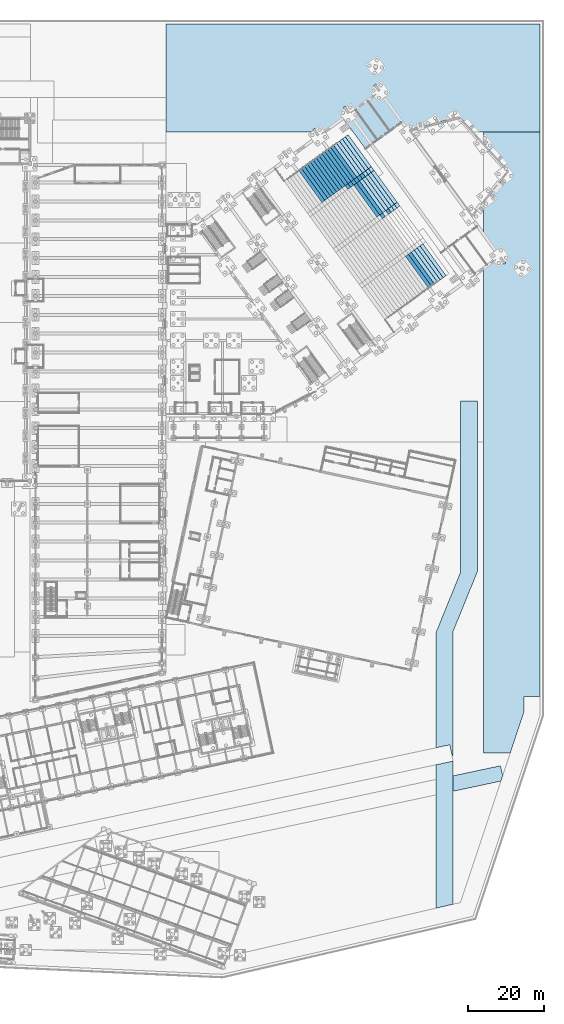
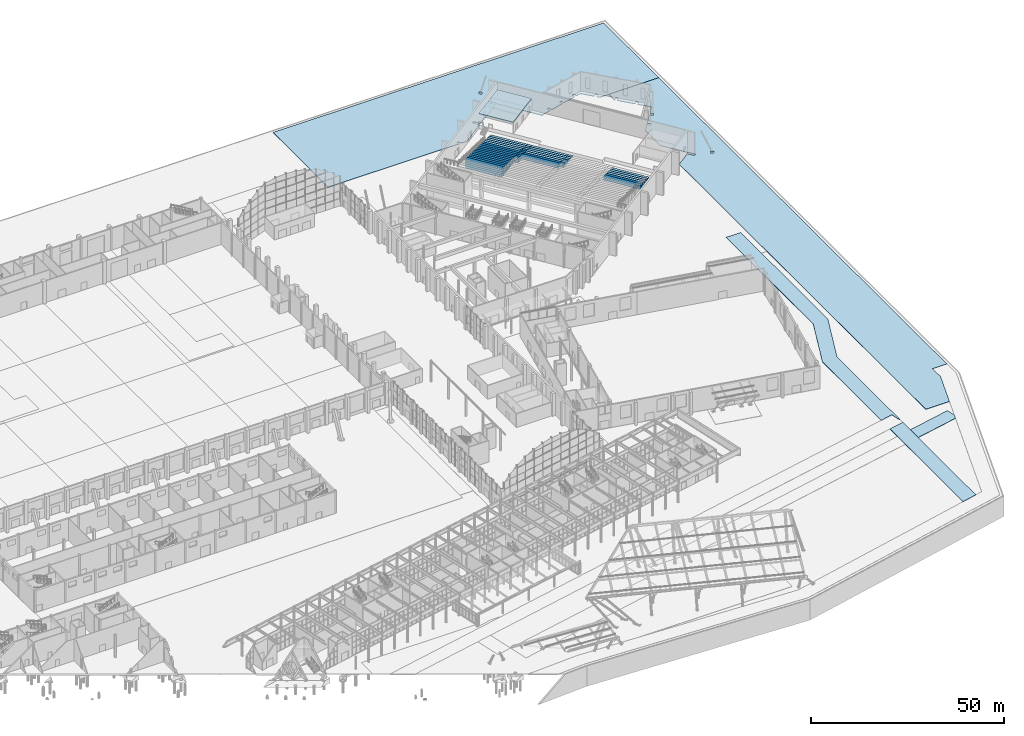
# One storey, part 162 of 239: 50 slabs.
"""IFC4 building model written with IfcOpenShell, lengths in metres."""

from ifc_helpers import new_model, si_unit, direction, frame, origin, place, context, subcontext, project, spatial, polyline, outline, extrude, material, layer, layer_set, type_object, element, save


model = new_model("IFC4")

# Units and contexts
model_context = context("Model", 3, precision=1e-05, world=origin(), true_north=direction((0.0, 1.0)))
body_context = subcontext(model_context, "Body", "Model", "MODEL_VIEW")
ifc_project = project(units=[si_unit("LENGTHUNIT", "METRE"), si_unit("AREAUNIT", "SQUARE_METRE"), si_unit("VOLUMEUNIT", "CUBIC_METRE"), si_unit("PLANEANGLEUNIT", "RADIAN"), si_unit("MASSUNIT", "GRAM", prefix="KILO")], contexts=[model_context])

# Site, building, storey
site_placement = place(None, origin())
site = spatial("IfcSite", under=ifc_project, at=site_placement, CompositionType="ELEMENT")
building_placement = place(site_placement, origin())
building = spatial("IfcBuilding", under=site, at=building_placement, Name="Okhra Congress Centre", CompositionType="ELEMENT")
storey_placement = place(building_placement, origin())
storey = spatial("IfcBuildingStorey", under=building, at=storey_placement, Name="L00", CompositionType="ELEMENT", Elevation=0.0)

# Slabs
ifc_material_1 = material(Name="Concrete C30/37", Category="concrete")
ifc_layer_1 = layer(ifc_material_1, 0.14990234375)
ifc_layer_set_1 = layer_set([ifc_layer_1], Name="Paving slab 150 C30/37")
slab_type_1 = type_object("IfcSlabType", Name="Paving slab 150 C30/37", PredefinedType="BASESLAB", material=ifc_layer_set_1)
slab_1_placement = place(storey_placement, frame((0.0, 0.0, -0.14990234375)))
element("IfcSlab", 1, at=slab_1_placement, inside=storey, type_object=slab_type_1, Name="Court Path East 1 paving", PredefinedType="BASESLAB", context=body_context, shape_type="SweptSolid", body=[
    extrude(outline(polyline([(265.89990234375, 54.002197265625), (265.89990234375, 49.912841796875), (278.618896484375, 52.616455078125), (279.10693359375, 54.080810546875), (278.552001953125, 56.69140625), (265.89990234375, 54.002197265625)])), origin(), (0.0, 0.0, 1.0), 0.14990234375),
])
ifc_material_2 = material(Name="Precast concrete C40/50", Category="concrete")
slab_type_2 = type_object("IfcSlabType", Name="Precast RC stalls aisle step unit C40/50", PredefinedType="FLOOR", material=ifc_material_2)
slab_2_placement = place(storey_placement, origin())
element("IfcSlab", 2, at=slab_2_placement, inside=storey, type_object=slab_type_2, Name="Stalls aisle step unit 1.4", PredefinedType="FLOOR", context=body_context, shape_type="SweptSolid", body=[
    extrude(outline(polyline([(251.143798828125, 204.240478515625), (251.912353515625, 204.798828125), (251.20703125, 205.769775390625), (250.438232421875, 205.21142578125), (251.143798828125, 204.240478515625)])), origin(), (0.0, 0.0, 1.0), 0.16357421875),
])
slab_3_placement = place(storey_placement, origin())
element("IfcSlab", 3, at=slab_3_placement, inside=storey, type_object=slab_type_2, Name="Stalls aisle step unit 1.6", PredefinedType="FLOOR", context=body_context, shape_type="SweptSolid", body=[
    extrude(outline(polyline([(244.2958984375, 213.66552734375), (245.064453125, 214.223876953125), (244.359130859375, 215.19482421875), (243.590576171875, 214.636474609375), (244.2958984375, 213.66552734375)])), origin(), (0.0, 0.0, 1.0), 0.16357421875),
])
slab_4_placement = place(storey_placement, origin())
element("IfcSlab", 4, at=slab_4_placement, inside=storey, type_object=slab_type_2, Name="Stalls aisle step unit 2.4", PredefinedType="FLOOR", context=body_context, shape_type="SweptSolid", body=[
    extrude(outline(polyline([(250.375, 203.68212890625), (251.143798828125, 204.240478515625), (250.438232421875, 205.21142578125), (249.669677734375, 204.653076171875), (250.375, 203.68212890625)])), origin(), (0.0, 0.0, 1.0), 0.327392578125),
])
slab_5_placement = place(storey_placement, origin())
element("IfcSlab", 5, at=slab_5_placement, inside=storey, type_object=slab_type_2, Name="Stalls aisle step unit 2.6", PredefinedType="FLOOR", context=body_context, shape_type="SweptSolid", body=[
    extrude(outline(polyline([(243.52734375, 213.107177734375), (244.2958984375, 213.66552734375), (243.590576171875, 214.636474609375), (242.822021484375, 214.078125), (243.52734375, 213.107177734375)])), origin(), (0.0, 0.0, 1.0), 0.327392578125),
])
slab_6_placement = place(storey_placement, origin())
element("IfcSlab", 6, at=slab_6_placement, inside=storey, type_object=slab_type_2, Name="Stalls aisle step unit 3.4", PredefinedType="FLOOR", context=body_context, shape_type="SweptSolid", body=[
    extrude(outline(polyline([(249.6064453125, 203.123779296875), (250.375, 203.68212890625), (249.669677734375, 204.653076171875), (248.901123046875, 204.094482421875), (249.6064453125, 203.123779296875)])), origin(), (0.0, 0.0, 1.0), 0.490966796875),
])
slab_7_placement = place(storey_placement, origin())
element("IfcSlab", 7, at=slab_7_placement, inside=storey, type_object=slab_type_2, Name="Stalls aisle step unit 3.6", PredefinedType="FLOOR", context=body_context, shape_type="SweptSolid", body=[
    extrude(outline(polyline([(242.7587890625, 212.548828125), (243.52734375, 213.107177734375), (242.822021484375, 214.078125), (242.053466796875, 213.51953125), (242.7587890625, 212.548828125)])), origin(), (0.0, 0.0, 1.0), 0.490966796875),
])
slab_8_placement = place(storey_placement, origin())
element("IfcSlab", 8, at=slab_8_placement, inside=storey, type_object=slab_type_2, Name="Stalls aisle step unit 4.4", PredefinedType="FLOOR", context=body_context, shape_type="SweptSolid", body=[
    extrude(outline(polyline([(248.837890625, 202.5654296875), (249.6064453125, 203.123779296875), (248.901123046875, 204.094482421875), (248.132568359375, 203.5361328125), (248.837890625, 202.5654296875)])), origin(), (0.0, 0.0, 1.0), 0.654541015625),
])
slab_9_placement = place(storey_placement, origin())
element("IfcSlab", 9, at=slab_9_placement, inside=storey, type_object=slab_type_2, Name="Stalls aisle step unit 4.6", PredefinedType="FLOOR", context=body_context, shape_type="SweptSolid", body=[
    extrude(outline(polyline([(241.990234375, 211.990478515625), (242.7587890625, 212.548828125), (242.053466796875, 213.51953125), (241.284912109375, 212.961181640625), (241.990234375, 211.990478515625)])), origin(), (0.0, 0.0, 1.0), 0.654541015625),
])
slab_10_placement = place(storey_placement, origin())
element("IfcSlab", 10, at=slab_10_placement, inside=storey, type_object=slab_type_2, Name="Stalls aisle step unit 5.6", PredefinedType="FLOOR", context=body_context, shape_type="SweptSolid", body=[
    extrude(outline(polyline([(241.2216796875, 211.43212890625), (241.990234375, 211.990478515625), (241.284912109375, 212.961181640625), (240.516357421875, 212.40283203125), (241.2216796875, 211.43212890625)])), origin(), (0.0, 0.0, 1.0), 0.818115234375),
])
slab_11_placement = place(storey_placement, origin())
element("IfcSlab", 11, at=slab_11_placement, inside=storey, type_object=slab_type_2, Name="Stalls aisle step unit 6.4", PredefinedType="FLOOR", context=body_context, shape_type="SweptSolid", body=[
    extrude(outline(polyline([(247.30078125, 201.448486328125), (248.0693359375, 202.007080078125), (247.364013671875, 202.977783203125), (246.595458984375, 202.41943359375), (247.30078125, 201.448486328125)])), origin(), (0.0, 0.0, 1.0), 0.98193359375),
])
slab_12_placement = place(storey_placement, origin())
element("IfcSlab", 12, at=slab_12_placement, inside=storey, type_object=slab_type_2, Name="Stalls aisle step unit 6.6", PredefinedType="FLOOR", context=body_context, shape_type="SweptSolid", body=[
    extrude(outline(polyline([(240.453125, 210.87353515625), (241.2216796875, 211.43212890625), (240.516357421875, 212.40283203125), (239.747802734375, 211.844482421875), (240.453125, 210.87353515625)])), origin(), (0.0, 0.0, 1.0), 0.98193359375),
])
slab_13_placement = place(storey_placement, origin())
element("IfcSlab", 13, at=slab_13_placement, inside=storey, type_object=slab_type_2, Name="Stalls aisle step unit 7.6", PredefinedType="FLOOR", context=body_context, shape_type="SweptSolid", body=[
    extrude(outline(polyline([(239.6845703125, 210.315185546875), (240.453125, 210.87353515625), (239.747802734375, 211.844482421875), (238.979248046875, 211.2861328125), (239.6845703125, 210.315185546875)])), origin(), (0.0, 0.0, 1.0), 1.1455078125),
])
slab_14_placement = place(storey_placement, origin())
element("IfcSlab", 14, at=slab_14_placement, inside=storey, type_object=slab_type_2, Name="Stalls aisle step unit 8.6", PredefinedType="FLOOR", context=body_context, shape_type="SweptSolid", body=[
    extrude(outline(polyline([(238.916015625, 209.7568359375), (239.6845703125, 210.315185546875), (238.979248046875, 211.2861328125), (238.210693359375, 210.7275390625), (238.916015625, 209.7568359375)])), origin(), (0.0, 0.0, 1.0), 1.30908203125),
])
slab_15_placement = place(storey_placement, origin())
element("IfcSlab", 15, at=slab_15_placement, inside=storey, type_object=slab_type_2, Name="Stalls aisle step unit 9.6", PredefinedType="FLOOR", context=body_context, shape_type="SweptSolid", body=[
    extrude(outline(polyline([(238.1474609375, 209.198486328125), (238.916015625, 209.7568359375), (238.210693359375, 210.7275390625), (237.442138671875, 210.169189453125), (238.1474609375, 209.198486328125)])), origin(), (0.0, 0.0, 1.0), 1.47265625),
])
ifc_material_3 = material(Name="Precast concrete C35/45", Category="concrete")
slab_type_3 = type_object("IfcSlabType", Name="Precast RC stalls seat-row step unit C35/45", PredefinedType="FLOOR", material=ifc_material_3)
slab_16_placement = place(storey_placement, origin())
element("IfcSlab", 16, at=slab_16_placement, inside=storey, type_object=slab_type_3, Name="Stalls seat-row step unit 1.5", PredefinedType="FLOOR", context=body_context, shape_type="SweptSolid", body=[
    extrude(outline(polyline([(250.438232421875, 205.21142578125), (251.20703125, 205.769775390625), (245.064453125, 214.223876953125), (244.2958984375, 213.66552734375), (250.438232421875, 205.21142578125)])), origin(), (0.0, 0.0, 1.0), 0.16357421875),
])
slab_17_placement = place(storey_placement, origin())
element("IfcSlab", 17, at=slab_17_placement, inside=storey, type_object=slab_type_3, Name="Stalls seat-row step unit 1.7", PredefinedType="FLOOR", context=body_context, shape_type="SweptSolid", body=[
    extrude(outline(polyline([(243.590576171875, 214.636474609375), (244.359130859375, 215.19482421875), (238.216796875, 223.64892578125), (237.4482421875, 223.090576171875), (243.590576171875, 214.636474609375)])), origin(), (0.0, 0.0, 1.0), 0.16357421875),
])
slab_18_placement = place(storey_placement, origin())
element("IfcSlab", 18, at=slab_18_placement, inside=storey, type_object=slab_type_3, Name="Stalls seat-row step unit 2.1", PredefinedType="FLOOR", context=body_context, shape_type="SweptSolid", body=[
    extrude(outline(polyline([(263.365234375, 185.802978515625), (264.1337890625, 186.361328125), (257.991455078125, 194.8154296875), (257.222900390625, 194.257080078125), (263.365234375, 185.802978515625)])), origin(), (0.0, 0.0, 1.0), 0.327392578125),
])
slab_19_placement = place(storey_placement, origin())
element("IfcSlab", 19, at=slab_19_placement, inside=storey, type_object=slab_type_3, Name="Stalls seat-row step unit 2.5", PredefinedType="FLOOR", context=body_context, shape_type="SweptSolid", body=[
    extrude(outline(polyline([(249.669677734375, 204.653076171875), (250.438232421875, 205.21142578125), (244.2958984375, 213.66552734375), (243.52734375, 213.107177734375), (249.669677734375, 204.653076171875)])), origin(), (0.0, 0.0, 1.0), 0.327392578125),
])
slab_20_placement = place(storey_placement, origin())
element("IfcSlab", 20, at=slab_20_placement, inside=storey, type_object=slab_type_3, Name="Stalls seat-row step unit 2.7", PredefinedType="FLOOR", context=body_context, shape_type="SweptSolid", body=[
    extrude(outline(polyline([(242.822021484375, 214.078125), (243.590576171875, 214.636474609375), (237.4482421875, 223.090576171875), (236.6796875, 222.5322265625), (242.822021484375, 214.078125)])), origin(), (0.0, 0.0, 1.0), 0.327392578125),
])
slab_21_placement = place(storey_placement, origin())
element("IfcSlab", 21, at=slab_21_placement, inside=storey, type_object=slab_type_3, Name="Stalls seat-row step unit 3.1", PredefinedType="FLOOR", context=body_context, shape_type="SweptSolid", body=[
    extrude(outline(polyline([(262.5966796875, 185.244384765625), (263.365234375, 185.802978515625), (257.222900390625, 194.257080078125), (256.454345703125, 193.69873046875), (262.5966796875, 185.244384765625)])), origin(), (0.0, 0.0, 1.0), 0.490966796875),
])
slab_22_placement = place(storey_placement, origin())
element("IfcSlab", 22, at=slab_22_placement, inside=storey, type_object=slab_type_3, Name="Stalls seat-row step unit 3.5", PredefinedType="FLOOR", context=body_context, shape_type="SweptSolid", body=[
    extrude(outline(polyline([(248.901123046875, 204.094482421875), (249.669677734375, 204.653076171875), (243.52734375, 213.107177734375), (242.7587890625, 212.548828125), (248.901123046875, 204.094482421875)])), origin(), (0.0, 0.0, 1.0), 0.490966796875),
])
slab_23_placement = place(storey_placement, origin())
element("IfcSlab", 23, at=slab_23_placement, inside=storey, type_object=slab_type_3, Name="Stalls seat-row step unit 3.7", PredefinedType="FLOOR", context=body_context, shape_type="SweptSolid", body=[
    extrude(outline(polyline([(242.053466796875, 213.51953125), (242.822021484375, 214.078125), (236.6796875, 222.5322265625), (235.9111328125, 221.973876953125), (242.053466796875, 213.51953125)])), origin(), (0.0, 0.0, 1.0), 0.490966796875),
])
slab_24_placement = place(storey_placement, origin())
element("IfcSlab", 24, at=slab_24_placement, inside=storey, type_object=slab_type_3, Name="Stalls seat-row step unit 4.1", PredefinedType="FLOOR", context=body_context, shape_type="SweptSolid", body=[
    extrude(outline(polyline([(261.828125, 184.68603515625), (262.5966796875, 185.244384765625), (256.454345703125, 193.69873046875), (255.685791015625, 193.140380859375), (261.828125, 184.68603515625)])), origin(), (0.0, 0.0, 1.0), 0.654541015625),
])
slab_25_placement = place(storey_placement, origin())
element("IfcSlab", 25, at=slab_25_placement, inside=storey, type_object=slab_type_3, Name="Stalls seat-row step unit 4.5", PredefinedType="FLOOR", context=body_context, shape_type="SweptSolid", body=[
    extrude(outline(polyline([(248.132568359375, 203.5361328125), (248.901123046875, 204.094482421875), (242.7587890625, 212.548828125), (241.990234375, 211.990478515625), (248.132568359375, 203.5361328125)])), origin(), (0.0, 0.0, 1.0), 0.654541015625),
])
slab_26_placement = place(storey_placement, origin())
element("IfcSlab", 26, at=slab_26_placement, inside=storey, type_object=slab_type_3, Name="Stalls seat-row step unit 4.7", PredefinedType="FLOOR", context=body_context, shape_type="SweptSolid", body=[
    extrude(outline(polyline([(241.284912109375, 212.961181640625), (242.053466796875, 213.51953125), (235.9111328125, 221.973876953125), (235.142578125, 221.41552734375), (241.284912109375, 212.961181640625)])), origin(), (0.0, 0.0, 1.0), 0.654541015625),
])
slab_27_placement = place(storey_placement, origin())
element("IfcSlab", 27, at=slab_27_placement, inside=storey, type_object=slab_type_3, Name="Stalls seat-row step unit 5.1", PredefinedType="FLOOR", context=body_context, shape_type="SweptSolid", body=[
    extrude(outline(polyline([(261.0595703125, 184.127685546875), (261.828125, 184.68603515625), (255.685791015625, 193.140380859375), (254.917236328125, 192.58203125), (261.0595703125, 184.127685546875)])), origin(), (0.0, 0.0, 1.0), 0.818115234375),
])
slab_28_placement = place(storey_placement, origin())
element("IfcSlab", 28, at=slab_28_placement, inside=storey, type_object=slab_type_3, Name="Stalls seat-row step unit 5.5", PredefinedType="FLOOR", context=body_context, shape_type="SweptSolid", body=[
    extrude(outline(polyline([(247.364013671875, 202.977783203125), (248.132568359375, 203.5361328125), (241.990234375, 211.990478515625), (241.2216796875, 211.43212890625), (247.364013671875, 202.977783203125)])), origin(), (0.0, 0.0, 1.0), 0.818115234375),
])
slab_29_placement = place(storey_placement, origin())
element("IfcSlab", 29, at=slab_29_placement, inside=storey, type_object=slab_type_3, Name="Stalls seat-row step unit 5.7", PredefinedType="FLOOR", context=body_context, shape_type="SweptSolid", body=[
    extrude(outline(polyline([(240.516357421875, 212.40283203125), (241.284912109375, 212.961181640625), (235.142578125, 221.41552734375), (234.3740234375, 220.857177734375), (240.516357421875, 212.40283203125)])), origin(), (0.0, 0.0, 1.0), 0.818115234375),
])
slab_30_placement = place(storey_placement, origin())
element("IfcSlab", 30, at=slab_30_placement, inside=storey, type_object=slab_type_3, Name="Stalls seat-row step unit 6.1", PredefinedType="FLOOR", context=body_context, shape_type="SweptSolid", body=[
    extrude(outline(polyline([(260.291015625, 183.5693359375), (261.0595703125, 184.127685546875), (254.917236328125, 192.58203125), (254.1484375, 192.0234375), (260.291015625, 183.5693359375)])), origin(), (0.0, 0.0, 1.0), 0.98193359375),
])
slab_31_placement = place(storey_placement, origin())
element("IfcSlab", 31, at=slab_31_placement, inside=storey, type_object=slab_type_3, Name="Stalls seat-row step unit 6.5", PredefinedType="FLOOR", context=body_context, shape_type="SweptSolid", body=[
    extrude(outline(polyline([(246.595458984375, 202.41943359375), (247.364013671875, 202.977783203125), (241.2216796875, 211.43212890625), (240.453125, 210.87353515625), (246.595458984375, 202.41943359375)])), origin(), (0.0, 0.0, 1.0), 0.98193359375),
])
slab_32_placement = place(storey_placement, origin())
element("IfcSlab", 32, at=slab_32_placement, inside=storey, type_object=slab_type_3, Name="Stalls seat-row step unit 6.7", PredefinedType="FLOOR", context=body_context, shape_type="SweptSolid", body=[
    extrude(outline(polyline([(239.747802734375, 211.844482421875), (240.516357421875, 212.40283203125), (234.3740234375, 220.857177734375), (233.60546875, 220.298583984375), (239.747802734375, 211.844482421875)])), origin(), (0.0, 0.0, 1.0), 0.98193359375),
])
slab_33_placement = place(storey_placement, origin())
element("IfcSlab", 33, at=slab_33_placement, inside=storey, type_object=slab_type_3, Name="Stalls seat-row step unit 7.1", PredefinedType="FLOOR", context=body_context, shape_type="SweptSolid", body=[
    extrude(outline(polyline([(259.5224609375, 183.010986328125), (260.291015625, 183.5693359375), (254.1484375, 192.0234375), (253.3798828125, 191.465087890625), (259.5224609375, 183.010986328125)])), origin(), (0.0, 0.0, 1.0), 1.1455078125),
])
slab_34_placement = place(storey_placement, origin())
element("IfcSlab", 34, at=slab_34_placement, inside=storey, type_object=slab_type_3, Name="Stalls seat-row step unit 7.5", PredefinedType="FLOOR", context=body_context, shape_type="SweptSolid", body=[
    extrude(outline(polyline([(245.826904296875, 201.861083984375), (246.595458984375, 202.41943359375), (240.453125, 210.87353515625), (239.6845703125, 210.315185546875), (245.826904296875, 201.861083984375)])), origin(), (0.0, 0.0, 1.0), 1.1455078125),
])
slab_35_placement = place(storey_placement, origin())
element("IfcSlab", 35, at=slab_35_placement, inside=storey, type_object=slab_type_3, Name="Stalls seat-row step unit 7.7", PredefinedType="FLOOR", context=body_context, shape_type="SweptSolid", body=[
    extrude(outline(polyline([(238.979248046875, 211.2861328125), (239.747802734375, 211.844482421875), (233.60546875, 220.298583984375), (232.8369140625, 219.740234375), (238.979248046875, 211.2861328125)])), origin(), (0.0, 0.0, 1.0), 1.1455078125),
])
slab_36_placement = place(storey_placement, origin())
element("IfcSlab", 36, at=slab_36_placement, inside=storey, type_object=slab_type_3, Name="Stalls seat-row step unit 8.7", PredefinedType="FLOOR", context=body_context, shape_type="SweptSolid", body=[
    extrude(outline(polyline([(238.210693359375, 210.7275390625), (238.979248046875, 211.2861328125), (232.8369140625, 219.740234375), (232.068359375, 219.181884765625), (238.210693359375, 210.7275390625)])), origin(), (0.0, 0.0, 1.0), 1.30908203125),
])
slab_37_placement = place(storey_placement, origin())
element("IfcSlab", 37, at=slab_37_placement, inside=storey, type_object=slab_type_3, Name="Stalls seat-row step unit 9.7", PredefinedType="FLOOR", context=body_context, shape_type="SweptSolid", body=[
    extrude(outline(polyline([(237.442138671875, 210.169189453125), (238.210693359375, 210.7275390625), (232.068359375, 219.181884765625), (231.2998046875, 218.62353515625), (237.442138671875, 210.169189453125)])), origin(), (0.0, 0.0, 1.0), 1.47265625),
])
slab_38_placement = place(storey_placement, origin())
element("IfcSlab", 38, at=slab_38_placement, inside=storey, type_object=slab_type_3, Name="Stalls seat-row step unit 10.7", PredefinedType="FLOOR", context=body_context, shape_type="SweptSolid", body=[
    extrude(outline(polyline([(236.673583984375, 209.61083984375), (237.442138671875, 210.169189453125), (231.2998046875, 218.62353515625), (230.53125, 218.065185546875), (236.673583984375, 209.61083984375)])), origin(), (0.0, 0.0, 1.0), 1.636474609375),
])
slab_39_placement = place(storey_placement, origin())
element("IfcSlab", 39, at=slab_39_placement, inside=storey, type_object=slab_type_3, Name="Stalls seat-row step unit 11.7", PredefinedType="FLOOR", context=body_context, shape_type="SweptSolid", body=[
    extrude(outline(polyline([(235.905029296875, 209.052490234375), (236.673583984375, 209.61083984375), (230.53125, 218.065185546875), (229.7626953125, 217.506591796875), (235.905029296875, 209.052490234375)])), origin(), (0.0, 0.0, 1.0), 1.800048828125),
])
slab_40_placement = place(storey_placement, origin())
element("IfcSlab", 40, at=slab_40_placement, inside=storey, type_object=slab_type_3, Name="Stalls seat-row step unit 12.7", PredefinedType="FLOOR", context=body_context, shape_type="SweptSolid", body=[
    extrude(outline(polyline([(235.136474609375, 208.494140625), (235.905029296875, 209.052490234375), (229.7626953125, 217.506591796875), (228.994140625, 216.9482421875), (235.136474609375, 208.494140625)])), origin(), (0.0, 0.0, 1.0), 1.963623046875),
])
slab_41_placement = place(storey_placement, origin())
element("IfcSlab", 41, at=slab_41_placement, inside=storey, type_object=slab_type_3, Name="Stalls seat-row step unit 13.7", PredefinedType="FLOOR", context=body_context, shape_type="SweptSolid", body=[
    extrude(outline(polyline([(234.367919921875, 207.935546875), (235.136474609375, 208.494140625), (228.994140625, 216.9482421875), (228.2255859375, 216.389892578125), (234.367919921875, 207.935546875)])), origin(), (0.0, 0.0, 1.0), 2.127197265625),
])
slab_42_placement = place(storey_placement, origin())
element("IfcSlab", 42, at=slab_42_placement, inside=storey, type_object=slab_type_3, Name="Stalls seat-row step unit 14.7", PredefinedType="FLOOR", context=body_context, shape_type="SweptSolid", body=[
    extrude(outline(polyline([(233.599365234375, 207.377197265625), (234.367919921875, 207.935546875), (228.2255859375, 216.389892578125), (227.45703125, 215.83154296875), (233.599365234375, 207.377197265625)])), origin(), (0.0, 0.0, 1.0), 2.291015625),
])
slab_43_placement = place(storey_placement, origin())
element("IfcSlab", 43, at=slab_43_placement, inside=storey, type_object=slab_type_3, Name="Stalls seat-row step unit 15.7", PredefinedType="FLOOR", context=body_context, shape_type="SweptSolid", body=[
    extrude(outline(polyline([(232.830810546875, 206.81884765625), (233.599365234375, 207.377197265625), (227.45703125, 215.83154296875), (226.6884765625, 215.273193359375), (232.830810546875, 206.81884765625)])), origin(), (0.0, 0.0, 1.0), 2.45458984375),
])
slab_44_placement = place(storey_placement, origin())
element("IfcSlab", 44, at=slab_44_placement, inside=storey, type_object=slab_type_3, Name="Stalls seat-row step unit 16.7", PredefinedType="FLOOR", context=body_context, shape_type="SweptSolid", body=[
    extrude(outline(polyline([(232.062255859375, 206.260498046875), (232.830810546875, 206.81884765625), (226.6884765625, 215.273193359375), (225.919677734375, 214.714599609375), (232.062255859375, 206.260498046875)])), origin(), (0.0, 0.0, 1.0), 2.6181640625),
])
slab_45_placement = place(storey_placement, origin())
element("IfcSlab", 45, at=slab_45_placement, inside=storey, type_object=slab_type_3, Name="Stalls seat-row step unit 17.7", PredefinedType="FLOOR", context=body_context, shape_type="SweptSolid", body=[
    extrude(outline(polyline([(231.293701171875, 205.7021484375), (232.062255859375, 206.260498046875), (225.919677734375, 214.714599609375), (225.151123046875, 214.15625), (231.293701171875, 205.7021484375)])), origin(), (0.0, 0.0, 1.0), 2.78173828125),
])
ifc_layer_2 = layer(ifc_material_1, 0.179931640625)
ifc_layer_set_2 = layer_set([ifc_layer_2], Name="RC car park slab 180 C30/37")
slab_type_4 = type_object("IfcSlabType", Name="RC car park slab 180 C30/37", PredefinedType="BASESLAB", material=ifc_layer_set_2)
slab_46_placement = place(storey_placement, frame((0.0, 0.0, -0.179931640625)))
element("IfcSlab", 46, at=slab_46_placement, inside=storey, type_object=slab_type_4, Name="Car Park North East 1 paving", PredefinedType="BASESLAB", context=body_context, shape_type="SweptSolid", body=[
    extrude(outline(polyline([(289.0, 253.0), (190.0, 253.0), (190.0, 224.39990234375), (229.253662109375, 224.39990234375), (228.8515625, 224.953369140625), (229.353271484375, 225.31787109375), (230.02001953125, 224.39990234375), (231.492431640625, 224.39990234375), (238.1171875, 229.213134765625), (236.941650390625, 230.831298828125), (237.443359375, 231.19580078125), (238.618896484375, 229.57763671875), (246.20751953125, 235.091064453125), (245.031982421875, 236.708984375), (245.533447265625, 237.073486328125), (246.720703125, 235.439208984375), (246.639892578125, 235.380615234375), (246.933837890625, 234.97607421875), (254.416259765625, 224.67724609375), (254.564697265625, 224.784912109375), (254.51416015625, 224.981689453125), (257.1298828125, 225.651123046875), (256.8818359375, 226.6201171875), (257.482666015625, 226.773681640625), (257.73046875, 225.804931640625), (261.489501953125, 226.766845703125), (261.241455078125, 227.735595703125), (261.842041015625, 227.889404296875), (262.090087890625, 226.920654296875), (265.848876953125, 227.8828125), (265.600830078125, 228.851318359375), (266.201416015625, 229.005126953125), (266.449462890625, 228.036376953125), (267.666015625, 228.34765625), (267.714111328125, 228.160400390625), (267.85791015625, 228.289794921875), (270.33740234375, 225.536865234375), (271.080322265625, 226.2060546875), (271.495361328125, 225.745361328125), (270.752197265625, 225.076171875), (271.361328125, 224.39990234375), (289.0, 224.39990234375), (289.0, 253.0)]), holes=[polyline([(245.7392578125, 241.114990234375), (245.7646484375, 241.14013671875), (245.787353515625, 241.167724609375), (245.807373046875, 241.197509765625), (245.82421875, 241.228759765625), (245.838134765625, 241.26171875), (245.8486328125, 241.2958984375), (245.855712890625, 241.330810546875), (245.859375, 241.3662109375), (245.875, 241.661376953125), (245.875, 241.69677734375), (245.87158203125, 241.732421875), (245.864990234375, 241.767333984375), (245.854736328125, 241.8017578125), (245.841064453125, 241.834716796875), (245.824462890625, 241.8662109375), (245.8046875, 241.89599609375), (245.781982421875, 241.923828125), (245.757080078125, 241.94921875), (245.7294921875, 241.971923828125), (245.69970703125, 241.991943359375), (245.66845703125, 242.0087890625), (245.635498046875, 242.022705078125), (245.601318359375, 242.033203125), (245.56640625, 242.040283203125), (245.53076171875, 242.0439453125), (245.4951171875, 242.0439453125), (245.45947265625, 242.040771484375), (245.42431640625, 242.03369140625), (245.39013671875, 242.023681640625), (245.357177734375, 242.010009765625), (245.325439453125, 241.993408203125), (245.295654296875, 241.9736328125), (245.26806640625, 241.950927734375), (245.24267578125, 241.92578125), (245.219970703125, 241.8984375), (245.199951171875, 241.86865234375), (245.18310546875, 241.83740234375), (245.169189453125, 241.80419921875), (245.15869140625, 241.770263671875), (245.151611328125, 241.735107421875), (245.14794921875, 241.699951171875), (245.13232421875, 241.40478515625), (245.132080078125, 241.369384765625), (245.135498046875, 241.333740234375), (245.142333984375, 241.298583984375), (245.152587890625, 241.264404296875), (245.166259765625, 241.2314453125), (245.182861328125, 241.19970703125), (245.20263671875, 241.169921875), (245.22509765625, 241.142333984375), (245.250244140625, 241.116943359375), (245.27783203125, 241.09423828125), (245.3076171875, 241.07421875), (245.3388671875, 241.057373046875), (245.371826171875, 241.04345703125), (245.406005859375, 241.032958984375), (245.44091796875, 241.02587890625), (245.4765625, 241.022216796875), (245.51220703125, 241.022216796875), (245.5478515625, 241.025390625), (245.5830078125, 241.0322265625), (245.6171875, 241.04248046875), (245.650146484375, 241.055908203125), (245.681640625, 241.07275390625), (245.71142578125, 241.092529296875), (245.7392578125, 241.114990234375)])]), origin(), (0.0, 0.0, 1.0), 0.179931640625),
])
slab_47_placement = place(storey_placement, frame((0.0, 0.0, -0.179931640625)))
element("IfcSlab", 47, at=slab_47_placement, inside=storey, type_object=slab_type_4, Name="Car Park East 1 paving", PredefinedType="BASESLAB", context=body_context, shape_type="SweptSolid", body=[
    extrude(outline(polyline([(278.25341796875, 190.9833984375), (274.0, 187.89306640625), (274.0, 60.0), (281.080078125, 60.0), (284.699951171875, 70.860107421875), (284.699951171875, 75.0), (289.0, 75.0), (289.0, 224.39990234375), (274.0, 224.39990234375), (274.0, 221.470458984375), (274.0517578125, 221.4130859375), (274.794677734375, 222.082275390625), (275.209716796875, 221.62158203125), (274.466552734375, 220.952392578125), (277.76611328125, 217.2890625), (278.509033203125, 217.95849609375), (278.924072265625, 217.497802734375), (278.180908203125, 216.828369140625), (280.656982421875, 214.0791015625), (280.510009765625, 213.946533203125), (280.66455078125, 213.822509765625), (278.89111328125, 211.607177734375), (279.671630859375, 210.982177734375), (279.2841796875, 210.498046875), (278.50341796875, 211.123046875), (276.07861328125, 208.093994140625), (276.859375, 207.468994140625), (276.471923828125, 206.985107421875), (275.691162109375, 207.610107421875), (274.0, 205.497314453125), (274.0, 203.993896484375), (274.047119140625, 203.9560546875), (274.0, 203.897216796875), (274.0, 197.72265625), (278.36865234375, 191.709716796875), (278.66259765625, 191.305419921875), (278.743408203125, 191.364013671875), (279.9306640625, 189.729736328125), (279.42919921875, 189.365478515625), (278.25341796875, 190.9833984375)]), holes=[polyline([(283.724365234375, 188.149169921875), (283.74658203125, 188.121337890625), (283.771484375, 188.095703125), (283.798828125, 188.072509765625), (283.828125, 188.05224609375), (283.859375, 188.034912109375), (283.89208984375, 188.020751953125), (283.926025390625, 188.010009765625), (284.21142578125, 187.93359375), (284.24609375, 187.926025390625), (284.28173828125, 187.922119140625), (284.3173828125, 187.92138671875), (284.35302734375, 187.92431640625), (284.38818359375, 187.930908203125), (284.422607421875, 187.940673828125), (284.455810546875, 187.953857421875), (284.487548828125, 187.97021484375), (284.517578125, 187.989501953125), (284.54541015625, 188.01171875), (284.571044921875, 188.03662109375), (284.59423828125, 188.063720703125), (284.614501953125, 188.09326171875), (284.6318359375, 188.12451171875), (284.64599609375, 188.1572265625), (284.656982421875, 188.19140625), (284.66455078125, 188.226318359375), (284.66845703125, 188.26171875), (284.669189453125, 188.29736328125), (284.666015625, 188.3330078125), (284.65966796875, 188.3681640625), (284.64990234375, 188.402587890625), (284.63671875, 188.435791015625), (284.620361328125, 188.467529296875), (284.60107421875, 188.49755859375), (284.578857421875, 188.525390625), (284.553955078125, 188.551025390625), (284.526611328125, 188.57421875), (284.497314453125, 188.594482421875), (284.466064453125, 188.61181640625), (284.433349609375, 188.6259765625), (284.3994140625, 188.63671875), (284.114013671875, 188.713134765625), (284.079345703125, 188.720703125), (284.043701171875, 188.724609375), (284.008056640625, 188.725341796875), (283.972412109375, 188.722412109375), (283.937255859375, 188.7158203125), (283.903076171875, 188.7060546875), (283.869873046875, 188.69287109375), (283.837890625, 188.676513671875), (283.80810546875, 188.6572265625), (283.780029296875, 188.635009765625), (283.75439453125, 188.610107421875), (283.731201171875, 188.5830078125), (283.7109375, 188.553466796875), (283.693603515625, 188.522216796875), (283.679443359375, 188.489501953125), (283.66845703125, 188.455322265625), (283.660888671875, 188.42041015625), (283.656982421875, 188.385009765625), (283.656494140625, 188.349365234375), (283.6591796875, 188.313720703125), (283.665771484375, 188.278564453125), (283.675537109375, 188.244140625), (283.688720703125, 188.2109375), (283.705078125, 188.17919921875), (283.724365234375, 188.149169921875)])]), origin(), (0.0, 0.0, 1.0), 0.179931640625),
])
ifc_layer_3 = layer(ifc_material_1, 0.219970703125)
ifc_layer_set_3 = layer_set([ifc_layer_3], Name="RC fire appliance lane slab 220 C30/37")
slab_type_5 = type_object("IfcSlabType", Name="RC fire appliance lane slab 220 C30/37", PredefinedType="BASESLAB", material=ifc_layer_set_3)
slab_48_placement = place(storey_placement, frame((0.0, 0.0, -0.219970703125)))
element("IfcSlab", 48, at=slab_48_placement, inside=storey, type_object=slab_type_5, Name="Fire Route East 1 paving", PredefinedType="BASESLAB", context=body_context, shape_type="SweptSolid", body=[
    extrude(outline(polyline([(268.0, 153.199951171875), (268.0, 108.0), (261.5, 92.0), (261.5, 61.4501953125), (265.109375, 62.21728515625), (265.708984375, 59.3955078125), (265.89990234375, 59.41552734375), (265.89990234375, 92.0), (272.39990234375, 108.0), (272.39990234375, 153.199951171875), (268.0, 153.199951171875)])), origin(), (0.0, 0.0, 1.0), 0.219970703125),
])
slab_49_placement = place(storey_placement, frame((0.0, 0.0, -0.219970703125)))
element("IfcSlab", 49, at=slab_49_placement, inside=storey, type_object=slab_type_5, Name="Fire Route East 2 paving", PredefinedType="BASESLAB", context=body_context, shape_type="SweptSolid", body=[
    extrude(outline(polyline([(265.89990234375, 57.88720703125), (261.5, 56.951904296875), (261.5, 19.010986328125), (265.89990234375, 20.02880859375), (265.89990234375, 57.88720703125)])), origin(), (0.0, 0.0, 1.0), 0.219970703125),
])
ifc_layer_4 = layer(ifc_material_1, 0.199951171875)
ifc_layer_set_4 = layer_set([ifc_layer_4], Name="RC roof slab 200 C30/37")
slab_type_6 = type_object("IfcSlabType", Name="RC roof slab 200 C30/37", PredefinedType="ROOF", material=ifc_layer_set_4)
slab_50_placement = place(storey_placement, frame((0.0, 0.0, 4.60009765625)))
element("IfcSlab", 50, at=slab_50_placement, inside=storey, type_object=slab_type_6, Name="Stage wing N roof slab", PredefinedType="ROOF", context=body_context, shape_type="SweptSolid", body=[
    extrude(outline(polyline([(242.78076171875, 219.91943359375), (252.3271484375, 226.855224609375), (246.59619140625, 234.7431640625), (237.0498046875, 227.80712890625), (242.78076171875, 219.91943359375)])), origin(), (0.0, 0.0, 1.0), 0.199951171875),
])

save(model, "model.ifc")
